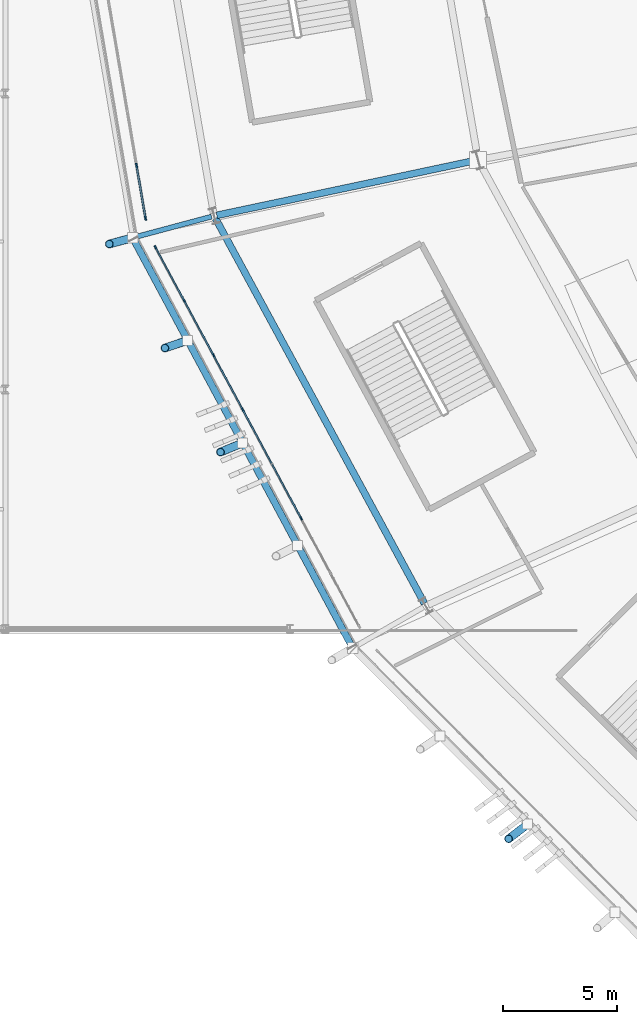
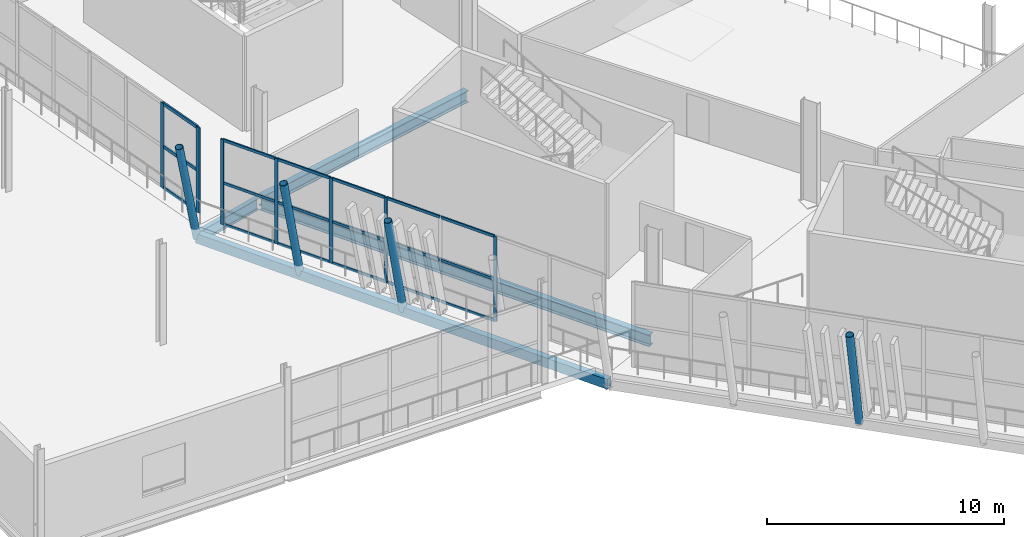
# One storey, part 26 of 168: 29 members, 4 beams, 2 elements without a shape of their own.
"""IFC4 building model written with IfcOpenShell, lengths in metres."""

from ifc_helpers import new_model, si_unit, direction, frame, origin, origin_2d, place, context, subcontext, project, spatial, rectangle, hollow_rectangle, hollow_circle, i_section, extrude, material, material_profile, profile_set, type_object, element, aggregate, save


model = new_model("IFC4")

# Units and contexts
model_context = context("Model", 3, precision=1e-05, world=origin(), true_north=direction((0.0, 1.0)))
body_context = subcontext(model_context, "Body", "Model", "MODEL_VIEW")
ifc_project = project(units=[si_unit("LENGTHUNIT", "METRE"), si_unit("AREAUNIT", "SQUARE_METRE"), si_unit("VOLUMEUNIT", "CUBIC_METRE"), si_unit("PLANEANGLEUNIT", "RADIAN"), si_unit("MASSUNIT", "GRAM", prefix="KILO")], contexts=[model_context])

# Site, building, storey
site_placement = place(None, origin())
site = spatial("IfcSite", under=ifc_project, at=site_placement, CompositionType="ELEMENT")
building_placement = place(site_placement, origin())
building = spatial("IfcBuilding", under=site, at=building_placement, Name="Zlatoyarsky Gate Stadium", CompositionType="ELEMENT")
storey_placement = place(building_placement, frame((0.0, 0.0, 15.60009765625)))
storey = spatial("IfcBuildingStorey", under=building, at=storey_placement, Name="L03", CompositionType="ELEMENT", Elevation=15.60009765625)

# Curtain wall, members
ifc_material_1 = material(Name="Thermally broken anodised aluminium curtain wall", Category="aluminium")
curtain_wall_type_1 = type_object("IfcCurtainWallType", Name="MONUMENTAL ARCHED GATE GLAZING UPPER", PredefinedType="USERDEFINED", material=ifc_material_1)
curtain_wall_1_placement = place(storey_placement, origin())
curtain_wall_1 = element("IfcCurtainWall", 1, at=curtain_wall_1_placement, inside=storey, type_object=curtain_wall_type_1, Name="Curtain wall CW-L03-12", ObjectType="ARCHED GATE GLAZING", PredefinedType="USERDEFINED")
ifc_material_2 = material(Name="Anodised aluminium 6063-T6", Category="aluminium")
ifc_material_profile_1 = material_profile(ifc_material_2, rectangle(XDim=0.074951171875, YDim=0.18994140625, at=origin_2d()), Name="ALU 75X190")
ifc_profile_set_1 = profile_set([ifc_material_profile_1], Name="Anodised aluminium 6063-T6")
member_type_1 = type_object("IfcMemberType", Name="ALUMINIUM GATE MULLION 75X190", PredefinedType="MULLION", material=ifc_profile_set_1)
member_1_placement = place(storey_placement, frame((17.757568359375, 63.841796875, 0.0), z_axis=(0.0, 0.0, 1.0), x_axis=(0.985726654508, 0.168353683036, 0.0)))
member_1 = element("IfcMember", 2, at=member_1_placement, type_object=member_type_1, Name="CW-AG2 mullion 6", PredefinedType="MULLION", context=body_context, shape_type="SweptSolid", body=[
    extrude(rectangle(XDim=0.074951171875, YDim=0.18994140625, at=origin_2d()), origin(), (0.0, 0.0, 1.0), 4.3798828125),
])
member_2_placement = place(storey_placement, frame((18.1533203125, 61.5244140625, 0.0), z_axis=(0.0, 0.0, 1.0), x_axis=(0.985726654508, 0.168353683036, 0.0)))
member_2 = element("IfcMember", 3, at=member_2_placement, type_object=member_type_1, Name="CW-AG2 mullion 7", PredefinedType="MULLION", context=body_context, shape_type="SweptSolid", body=[
    extrude(rectangle(XDim=0.074951171875, YDim=0.18994140625, at=origin_2d()), origin(), (0.0, 0.0, 1.0), 4.3798828125),
])
ifc_material_profile_2 = material_profile(ifc_material_2, rectangle(XDim=0.074951171875, YDim=0.169921875, at=origin_2d()), Name="ALU 75X170")
ifc_profile_set_2 = profile_set([ifc_material_profile_2], Name="Anodised aluminium 6063-T6")
member_type_2 = type_object("IfcMemberType", Name="ALUMINIUM GATE TRANSOM 75X170", PredefinedType="USERDEFINED", material=ifc_profile_set_2)
member_3_placement = place(storey_placement, frame((17.763916015625, 63.804931640625, 0.037353515625), z_axis=(0.168311716755, -0.985733821071, 0.0), x_axis=(0.985733821071, 0.168311716755, 0.0)))
member_3 = element("IfcMember", 4, at=member_3_placement, type_object=member_type_2, Name="CW-AG2 transom 6.1", ObjectType="TRANSOM", PredefinedType="USERDEFINED", context=body_context, shape_type="SweptSolid", body=[
    extrude(rectangle(XDim=0.074951171875, YDim=0.169921875, at=origin_2d()), origin(), (0.0, 0.0, 1.0), 2.27587890625),
])
member_4_placement = place(storey_placement, frame((17.763916015625, 63.804931640625, 2.14990234375), z_axis=(0.168311716755, -0.985733821071, 0.0), x_axis=(0.985733821071, 0.168311716755, 0.0)))
member_4 = element("IfcMember", 5, at=member_4_placement, type_object=member_type_2, Name="CW-AG2 transom 6.2", ObjectType="TRANSOM", PredefinedType="USERDEFINED", context=body_context, shape_type="SweptSolid", body=[
    extrude(rectangle(XDim=0.074951171875, YDim=0.169921875, at=origin_2d()), origin(), (0.0, 0.0, 1.0), 2.27587890625),
])
member_5_placement = place(storey_placement, frame((17.763916015625, 63.804931640625, 4.34228515625), z_axis=(0.168311716755, -0.985733821071, 0.0), x_axis=(0.985733821071, 0.168311716755, 0.0)))
member_5 = element("IfcMember", 6, at=member_5_placement, type_object=member_type_2, Name="CW-AG2 transom 6.3", ObjectType="TRANSOM", PredefinedType="USERDEFINED", context=body_context, shape_type="SweptSolid", body=[
    extrude(rectangle(XDim=0.074951171875, YDim=0.169921875, at=origin_2d()), origin(), (0.0, 0.0, 1.0), 2.27587890625),
])
aggregate(curtain_wall_1, [member_1, member_2, member_3, member_4, member_5])

curtain_wall_type_2 = type_object("IfcCurtainWallType", Name="UNITISED CORPORATE BOX GLAZING L03", PredefinedType="USERDEFINED", material=ifc_material_1)
curtain_wall_2_placement = place(storey_placement, origin())
curtain_wall_2 = element("IfcCurtainWall", 7, at=curtain_wall_2_placement, inside=storey, type_object=curtain_wall_type_2, Name="Curtain wall CW-L03-13", ObjectType="UNITISED GLAZING", PredefinedType="USERDEFINED")
ifc_material_profile_3 = material_profile(ifc_material_2, rectangle(XDim=0.06494140625, YDim=0.159912109375, at=origin_2d()), Name="ALU 65X160")
ifc_profile_set_3 = profile_set([ifc_material_profile_3], Name="Anodised aluminium 6063-T6")
member_type_3 = type_object("IfcMemberType", Name="ALUMINIUM MULLION 65X160", PredefinedType="MULLION", material=ifc_profile_set_3)
member_6_placement = place(storey_placement, frame((18.592041015625, 60.24560546875, 0.0), z_axis=(0.0, 0.0, 1.0), x_axis=(0.880877202392, 0.473344857694, 0.0)))
member_6 = element("IfcMember", 8, at=member_6_placement, type_object=member_type_3, Name="CW-UG3 mullion 1", PredefinedType="MULLION", context=body_context, shape_type="SweptSolid", body=[
    extrude(rectangle(XDim=0.06494140625, YDim=0.159912109375, at=origin_2d()), origin(), (0.0, 0.0, 1.0), 4.3798828125),
])
member_7_placement = place(storey_placement, frame((19.85888671875, 57.88818359375, 0.0), z_axis=(0.0, 0.0, 1.0), x_axis=(0.880877202392, 0.473344857694, 0.0)))
member_7 = element("IfcMember", 9, at=member_7_placement, type_object=member_type_3, Name="CW-UG3 mullion 2", PredefinedType="MULLION", context=body_context, shape_type="SweptSolid", body=[
    extrude(rectangle(XDim=0.06494140625, YDim=0.159912109375, at=origin_2d()), origin(), (0.0, 0.0, 1.0), 4.3798828125),
])
member_8_placement = place(storey_placement, frame((21.14111328125, 55.501953125, 0.0), z_axis=(0.0, 0.0, 1.0), x_axis=(0.880877202392, 0.473344857694, 0.0)))
member_8 = element("IfcMember", 10, at=member_8_placement, type_object=member_type_3, Name="CW-UG3 mullion 3", PredefinedType="MULLION", context=body_context, shape_type="SweptSolid", body=[
    extrude(rectangle(XDim=0.06494140625, YDim=0.159912109375, at=origin_2d()), origin(), (0.0, 0.0, 1.0), 4.3798828125),
])
member_9_placement = place(storey_placement, frame((22.42333984375, 53.115966796875, 0.0), z_axis=(0.0, 0.0, 1.0), x_axis=(0.880877202392, 0.473344857694, 0.0)))
member_9 = element("IfcMember", 11, at=member_9_placement, type_object=member_type_3, Name="CW-UG3 mullion 4", PredefinedType="MULLION", context=body_context, shape_type="SweptSolid", body=[
    extrude(rectangle(XDim=0.06494140625, YDim=0.159912109375, at=origin_2d()), origin(), (0.0, 0.0, 1.0), 4.3798828125),
])
member_10_placement = place(storey_placement, frame((24.987548828125, 48.34375, 0.0), z_axis=(0.0, 0.0, 1.0), x_axis=(0.880877202392, 0.473344857694, 0.0)))
member_10 = element("IfcMember", 12, at=member_10_placement, type_object=member_type_3, Name="CW-UG3 mullion 6", PredefinedType="MULLION", context=body_context, shape_type="SweptSolid", body=[
    extrude(rectangle(XDim=0.06494140625, YDim=0.159912109375, at=origin_2d()), origin(), (0.0, 0.0, 1.0), 4.3798828125),
])
ifc_material_profile_4 = material_profile(ifc_material_2, rectangle(XDim=0.06494140625, YDim=0.139892578125, at=origin_2d()), Name="ALU 65X140")
ifc_profile_set_4 = profile_set([ifc_material_profile_4], Name="Anodised aluminium 6063-T6")
member_type_4 = type_object("IfcMemberType", Name="ALUMINIUM TRANSOM 65X140", PredefinedType="USERDEFINED", material=ifc_profile_set_4)
member_11_placement = place(storey_placement, frame((18.607421875, 60.217041015625, 0.032470703125), z_axis=(0.473347001092, -0.880876050621, 0.0), x_axis=(0.880876050621, 0.473347001092, 0.0)))
member_11 = element("IfcMember", 13, at=member_11_placement, type_object=member_type_4, Name="CW-UG3 transom 1.1", ObjectType="TRANSOM", PredefinedType="USERDEFINED", context=body_context, shape_type="SweptSolid", body=[
    extrude(rectangle(XDim=0.06494140625, YDim=0.139892578125, at=origin_2d()), origin(), (0.0, 0.0, 1.0), 2.611328125),
])
member_12_placement = place(storey_placement, frame((18.607421875, 60.217041015625, 2.14990234375), z_axis=(0.473347001092, -0.880876050621, 0.0), x_axis=(0.880876050621, 0.473347001092, 0.0)))
member_12 = element("IfcMember", 14, at=member_12_placement, type_object=member_type_4, Name="CW-UG3 transom 1.2", ObjectType="TRANSOM", PredefinedType="USERDEFINED", context=body_context, shape_type="SweptSolid", body=[
    extrude(rectangle(XDim=0.06494140625, YDim=0.139892578125, at=origin_2d()), origin(), (0.0, 0.0, 1.0), 2.611328125),
])
member_13_placement = place(storey_placement, frame((18.607421875, 60.217041015625, 4.347412109375), z_axis=(0.473347001092, -0.880876050621, 0.0), x_axis=(0.880876050621, 0.473347001092, 0.0)))
member_13 = element("IfcMember", 15, at=member_13_placement, type_object=member_type_4, Name="CW-UG3 transom 1.3", ObjectType="TRANSOM", PredefinedType="USERDEFINED", context=body_context, shape_type="SweptSolid", body=[
    extrude(rectangle(XDim=0.06494140625, YDim=0.139892578125, at=origin_2d()), origin(), (0.0, 0.0, 1.0), 2.611328125),
])
member_14_placement = place(storey_placement, frame((19.874267578125, 57.859375, 0.032470703125), z_axis=(0.473356241073, -0.880871085368, 0.0), x_axis=(0.880871085368, 0.473356241073, 0.0)))
member_14 = element("IfcMember", 16, at=member_14_placement, type_object=member_type_4, Name="CW-UG3 transom 2.1", ObjectType="TRANSOM", PredefinedType="USERDEFINED", context=body_context, shape_type="SweptSolid", body=[
    extrude(rectangle(XDim=0.06494140625, YDim=0.139892578125, at=origin_2d()), origin(), (0.0, 0.0, 1.0), 2.643798828125),
])
member_15_placement = place(storey_placement, frame((19.874267578125, 57.859375, 2.14990234375), z_axis=(0.473356241073, -0.880871085368, 0.0), x_axis=(0.880871085368, 0.473356241073, 0.0)))
member_15 = element("IfcMember", 17, at=member_15_placement, type_object=member_type_4, Name="CW-UG3 transom 2.2", ObjectType="TRANSOM", PredefinedType="USERDEFINED", context=body_context, shape_type="SweptSolid", body=[
    extrude(rectangle(XDim=0.06494140625, YDim=0.139892578125, at=origin_2d()), origin(), (0.0, 0.0, 1.0), 2.643798828125),
])
member_16_placement = place(storey_placement, frame((19.874267578125, 57.859375, 4.347412109375), z_axis=(0.473356241073, -0.880871085368, 0.0), x_axis=(0.880871085368, 0.473356241073, 0.0)))
member_16 = element("IfcMember", 18, at=member_16_placement, type_object=member_type_4, Name="CW-UG3 transom 2.3", ObjectType="TRANSOM", PredefinedType="USERDEFINED", context=body_context, shape_type="SweptSolid", body=[
    extrude(rectangle(XDim=0.06494140625, YDim=0.139892578125, at=origin_2d()), origin(), (0.0, 0.0, 1.0), 2.643798828125),
])
member_17_placement = place(storey_placement, frame((21.156494140625, 55.473388671875, 0.032470703125), z_axis=(0.473356241073, -0.880871085368, 0.0), x_axis=(0.880871085368, 0.473356241073, 0.0)))
member_17 = element("IfcMember", 19, at=member_17_placement, type_object=member_type_4, Name="CW-UG3 transom 3.1", ObjectType="TRANSOM", PredefinedType="USERDEFINED", context=body_context, shape_type="SweptSolid", body=[
    extrude(rectangle(XDim=0.06494140625, YDim=0.139892578125, at=origin_2d()), origin(), (0.0, 0.0, 1.0), 2.643798828125),
])
member_18_placement = place(storey_placement, frame((21.156494140625, 55.473388671875, 2.14990234375), z_axis=(0.473356241073, -0.880871085368, 0.0), x_axis=(0.880871085368, 0.473356241073, 0.0)))
member_18 = element("IfcMember", 20, at=member_18_placement, type_object=member_type_4, Name="CW-UG3 transom 3.2", ObjectType="TRANSOM", PredefinedType="USERDEFINED", context=body_context, shape_type="SweptSolid", body=[
    extrude(rectangle(XDim=0.06494140625, YDim=0.139892578125, at=origin_2d()), origin(), (0.0, 0.0, 1.0), 2.643798828125),
])
member_19_placement = place(storey_placement, frame((21.156494140625, 55.473388671875, 4.347412109375), z_axis=(0.473356241073, -0.880871085368, 0.0), x_axis=(0.880871085368, 0.473356241073, 0.0)))
member_19 = element("IfcMember", 21, at=member_19_placement, type_object=member_type_4, Name="CW-UG3 transom 3.3", ObjectType="TRANSOM", PredefinedType="USERDEFINED", context=body_context, shape_type="SweptSolid", body=[
    extrude(rectangle(XDim=0.06494140625, YDim=0.139892578125, at=origin_2d()), origin(), (0.0, 0.0, 1.0), 2.643798828125),
])
member_20_placement = place(storey_placement, frame((22.438720703125, 53.087158203125, 0.032470703125), z_axis=(0.473323087984, -0.880888900135, 0.0), x_axis=(0.880888900135, 0.473323087984, 0.0)))
member_20 = element("IfcMember", 22, at=member_20_placement, type_object=member_type_4, Name="CW-UG3 transom 4.1", ObjectType="TRANSOM", PredefinedType="USERDEFINED", context=body_context, shape_type="SweptSolid", body=[
    extrude(rectangle(XDim=0.06494140625, YDim=0.139892578125, at=origin_2d()), origin(), (0.0, 0.0, 1.0), 2.6435546875),
])
member_21_placement = place(storey_placement, frame((22.438720703125, 53.087158203125, 2.14990234375), z_axis=(0.473323087984, -0.880888900135, 0.0), x_axis=(0.880888900135, 0.473323087984, 0.0)))
member_21 = element("IfcMember", 23, at=member_21_placement, type_object=member_type_4, Name="CW-UG3 transom 4.2", ObjectType="TRANSOM", PredefinedType="USERDEFINED", context=body_context, shape_type="SweptSolid", body=[
    extrude(rectangle(XDim=0.06494140625, YDim=0.139892578125, at=origin_2d()), origin(), (0.0, 0.0, 1.0), 2.6435546875),
])
member_22_placement = place(storey_placement, frame((22.438720703125, 53.087158203125, 4.347412109375), z_axis=(0.473323087984, -0.880888900135, 0.0), x_axis=(0.880888900135, 0.473323087984, 0.0)))
member_22 = element("IfcMember", 24, at=member_22_placement, type_object=member_type_4, Name="CW-UG3 transom 4.3", ObjectType="TRANSOM", PredefinedType="USERDEFINED", context=body_context, shape_type="SweptSolid", body=[
    extrude(rectangle(XDim=0.06494140625, YDim=0.139892578125, at=origin_2d()), origin(), (0.0, 0.0, 1.0), 2.6435546875),
])
member_23_placement = place(storey_placement, frame((23.720947265625, 50.701171875, 0.032470703125), z_axis=(0.473284583402, -0.880909588502, 0.0), x_axis=(0.880909588502, 0.473284583402, 0.0)))
member_23 = element("IfcMember", 25, at=member_23_placement, type_object=member_type_4, Name="CW-UG3 transom 5.1", ObjectType="TRANSOM", PredefinedType="USERDEFINED", context=body_context, shape_type="SweptSolid", body=[
    extrude(rectangle(XDim=0.06494140625, YDim=0.139892578125, at=origin_2d()), origin(), (0.0, 0.0, 1.0), 2.643798828125),
])
member_24_placement = place(storey_placement, frame((23.720947265625, 50.701171875, 2.14990234375), z_axis=(0.473284583402, -0.880909588502, 0.0), x_axis=(0.880909588502, 0.473284583402, 0.0)))
member_24 = element("IfcMember", 26, at=member_24_placement, type_object=member_type_4, Name="CW-UG3 transom 5.2", ObjectType="TRANSOM", PredefinedType="USERDEFINED", context=body_context, shape_type="SweptSolid", body=[
    extrude(rectangle(XDim=0.06494140625, YDim=0.139892578125, at=origin_2d()), origin(), (0.0, 0.0, 1.0), 2.643798828125),
])
member_25_placement = place(storey_placement, frame((23.720947265625, 50.701171875, 4.347412109375), z_axis=(0.473284583402, -0.880909588502, 0.0), x_axis=(0.880909588502, 0.473284583402, 0.0)))
member_25 = element("IfcMember", 27, at=member_25_placement, type_object=member_type_4, Name="CW-UG3 transom 5.3", ObjectType="TRANSOM", PredefinedType="USERDEFINED", context=body_context, shape_type="SweptSolid", body=[
    extrude(rectangle(XDim=0.06494140625, YDim=0.139892578125, at=origin_2d()), origin(), (0.0, 0.0, 1.0), 2.643798828125),
])
aggregate(curtain_wall_2, [member_6, member_7, member_8, member_9, member_10, member_11, member_12, member_13, member_14, member_15, member_16, member_17, member_18, member_19, member_20, member_21, member_22, member_23, member_24, member_25])

# Beam
ifc_material_3 = material(Name="Steel S355", Category="steel")
ifc_material_profile_5 = material_profile(ifc_material_3, i_section(OverallWidth=0.219970703125, OverallDepth=0.60009765625, WebThickness=0.011962890625, FlangeThickness=0.01904296875, FilletRadius=0.02392578125, at=origin_2d()), Name="IPE 600")
ifc_profile_set_5 = profile_set([ifc_material_profile_5], Name="Steel S355")
beam_type_1 = type_object("IfcBeamType", Name="STEEL CANTILEVER FLOOR BEAM IPE 600", PredefinedType="BEAM", material=ifc_profile_set_5)
beam_1_placement = place(storey_placement, frame((21.052978515625, 61.5927734375, -0.580078125), z_axis=(-0.965919758856, -0.258841688008, 0.0), x_axis=(0.258841688008, -0.965919758856, 0.0)))
element("IfcBeam", 28, at=beam_1_placement, inside=storey, type_object=beam_type_1, Name="Beam B-IPE600 BM-L03-OUT-13", PredefinedType="BEAM", context=body_context, shape_type="SweptSolid", body=[
    extrude(i_section(OverallWidth=0.219970703125, OverallDepth=0.60009765625, WebThickness=0.011962890625, FlangeThickness=0.01904296875, FilletRadius=0.02392578125, at=origin_2d()), origin(), (0.0, 0.0, 1.0), 3.582275390625),
])

# Members
ifc_material_profile_6 = material_profile(ifc_material_3, hollow_circle(Radius=0.177734375, WallThickness=0.02001953125, at=origin_2d()), Name="CHS 355.6X20")
ifc_profile_set_6 = profile_set([ifc_material_profile_6], Name="Steel S355")
member_type_5 = type_object("IfcMemberType", Name="STEEL LEANING RIB RING STRUT CHS 355.6X20", PredefinedType="STRUT", material=ifc_profile_set_6)
member_26_placement = place(storey_placement, frame((17.5927734375, 60.66552734375, -0.580078125), z_axis=(-0.19494308955, -0.052209480057, 0.979423995024), x_axis=(0.258701784688, -0.965957238494, 0.0)))
element("IfcMember", 29, at=member_26_placement, inside=storey, type_object=member_type_5, Name="Leaning ring strut 13 L03 to L04", PredefinedType="STRUT", context=body_context, shape_type="SweptSolid", body=[
    extrude(hollow_circle(Radius=0.177734375, WallThickness=0.02001953125, at=origin_2d()), origin(), (0.0, 0.0, 1.0), 5.288818359375),
])
member_27_placement = place(storey_placement, frame((20.008056640625, 56.161376953125, -0.530029296875), z_axis=(-0.189960366827, -0.064412909996, 0.979676495615), x_axis=(0.321126768229, -0.947036218276, 0.0)))
element("IfcMember", 30, at=member_27_placement, inside=storey, type_object=member_type_5, Name="Outward-leaning bowl louvre fin rib L03 13-1", PredefinedType="STRUT", context=body_context, shape_type="SweptSolid", body=[
    extrude(hollow_circle(Radius=0.177734375, WallThickness=0.02001953125, at=origin_2d()), origin(), (0.0, 0.0, 1.0), 5.287353515625),
])
for number, where, z_axis, x_axis, name in (
    (31, (22.423095703125, 51.6572265625, -0.530029296875), (-0.184942906373, -0.076609308782, 0.97975871274), (0.382698137168, -0.923873441445, 0.0), "Outward-leaning bowl louvre fin rib L03 13-2"),
    (32, (34.937255859375, 34.9130859375, -0.530029296875), (-0.158762249376, -0.121819317584, 0.979772729788), (0.608751235052, -0.793361162285, 0.0), "Outward-leaning bowl louvre fin rib L03 14-2"),
):
    element("IfcMember", number, at=place(storey_placement, frame(where, z_axis=z_axis, x_axis=x_axis)), inside=storey, type_object=member_type_5, Name=name, PredefinedType="STRUT", context=body_context, shape_type="SweptSolid", body=[
        extrude(hollow_circle(Radius=0.177734375, WallThickness=0.02001953125, at=origin_2d()), origin(), (0.0, 0.0, 1.0), 5.286865234375),
    ])

# Beams
ifc_material_profile_7 = material_profile(ifc_material_3, hollow_rectangle(XDim=0.300048828125, YDim=0.5, WallThickness=0.02001953125, at=origin_2d()), Name="RHS 500X300X20")
ifc_profile_set_7 = profile_set([ifc_material_profile_7], Name="Steel S355")
beam_type_2 = type_object("IfcBeamType", Name="STEEL LOUVRE CARRIER SPANDREL RHS 500X300X20", PredefinedType="SPANDREL", material=ifc_profile_set_7)
beam_2_placement = place(storey_placement, frame((17.602294921875, 60.64794921875, -0.530029296875), z_axis=(0.472552104089, -0.88130273398, 0.0), x_axis=(0.88130273398, 0.472552104089, 0.0)))
element("IfcBeam", 33, at=beam_2_placement, inside=storey, type_object=beam_type_2, Name="Beam SP-RHS500 BM-L03-SPD-13", PredefinedType="SPANDREL", context=body_context, shape_type="SweptSolid", body=[
    extrude(hollow_rectangle(XDim=0.300048828125, YDim=0.5, WallThickness=0.02001953125, at=origin_2d()), origin(), (0.0, 0.0, 1.0), 20.4033203125),
])
ifc_material_profile_8 = material_profile(ifc_material_3, i_section(OverallWidth=0.300048828125, OverallDepth=0.60009765625, WebThickness=0.015380859375, FlangeThickness=0.030029296875, FilletRadius=0.027099609375, at=origin_2d()), Name="HEB 600")
ifc_profile_set_8 = profile_set([ifc_material_profile_8], Name="Steel S355")
beam_type_3 = type_object("IfcBeamType", Name="STEEL PRIMARY GIRDER HEB 600", PredefinedType="BEAM", material=ifc_profile_set_8)
beam_3_placement = place(storey_placement, frame((32.642578125, 64.0576171875, -0.580078125), z_axis=(-0.978233348926, -0.207507867438, 0.0), x_axis=(0.207507867438, -0.978233348926, 0.0)))
element("IfcBeam", 34, at=beam_3_placement, inside=storey, type_object=beam_type_3, Name="Beam G-HEB600 BM-L03-RBC-13", PredefinedType="BEAM", context=body_context, shape_type="SweptSolid", body=[
    extrude(i_section(OverallWidth=0.300048828125, OverallDepth=0.60009765625, WebThickness=0.015380859375, FlangeThickness=0.030029296875, FilletRadius=0.027099609375, at=origin_2d()), origin(), (0.0, 0.0, 1.0), 11.60888671875),
])
beam_4_placement = place(storey_placement, frame((21.22607421875, 61.518310546875, -0.580078125), z_axis=(0.476891650323, -0.878962088973, 0.0), x_axis=(0.878962088973, 0.476891650323, 0.0)))
element("IfcBeam", 35, at=beam_4_placement, inside=storey, type_object=beam_type_3, Name="Beam G-HEB600 BM-L03-CRC-13", PredefinedType="BEAM", context=body_context, shape_type="SweptSolid", body=[
    extrude(i_section(OverallWidth=0.300048828125, OverallDepth=0.60009765625, WebThickness=0.015380859375, FlangeThickness=0.030029296875, FilletRadius=0.027099609375, at=origin_2d()), origin(), (0.0, 0.0, 1.0), 19.241943359375),
])

save(model, "model.ifc")
